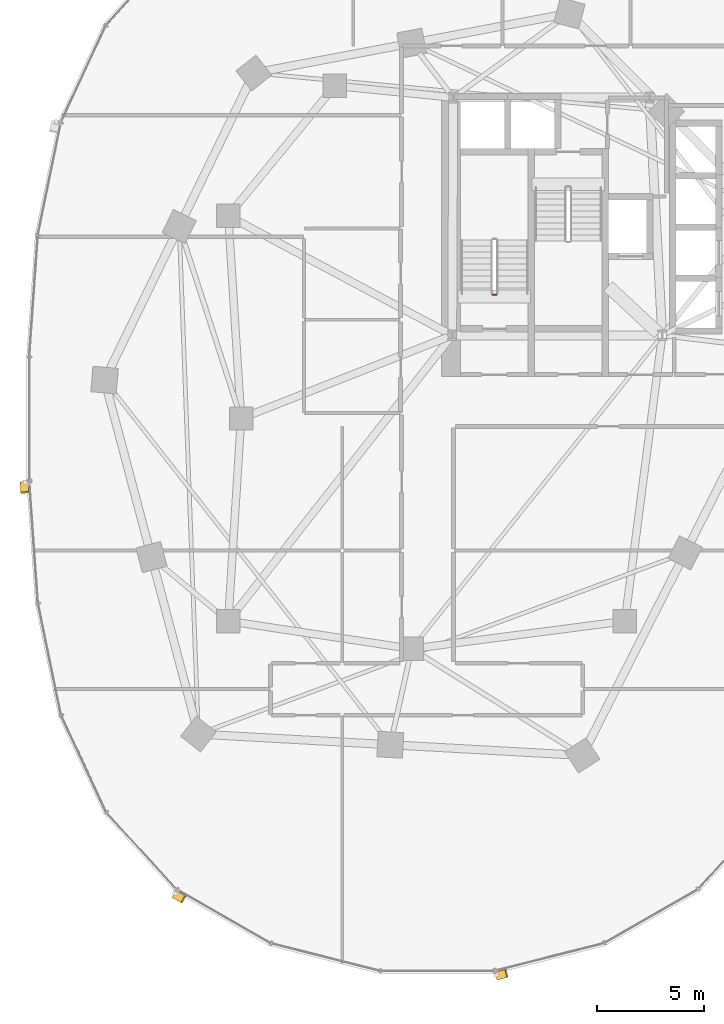
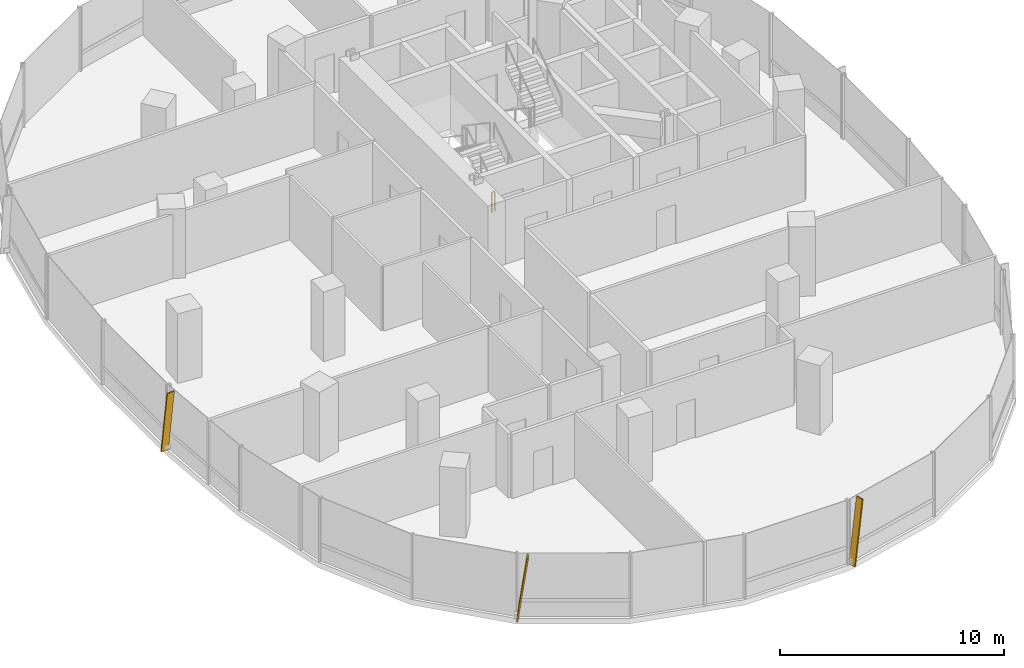
# One storey, part 18 of 22: 3 shading devices, 1 railing.
"""IFC4 building model written with IfcOpenShell, lengths in metres."""

from ifc_helpers import new_model, si_unit, direction, frame, origin, origin_2d, place, context, subcontext, project, spatial, rectangle, extrude, material, material_profile, profile_set, type_object, element, save


model = new_model("IFC4")

# Units and contexts
model_context = context("Model", 3, precision=1e-05, world=origin(), true_north=direction((0.0, 1.0)))
body_context = subcontext(model_context, "Body", "Model", "MODEL_VIEW")
ifc_project = project(units=[si_unit("LENGTHUNIT", "METRE"), si_unit("AREAUNIT", "SQUARE_METRE"), si_unit("VOLUMEUNIT", "CUBIC_METRE"), si_unit("PLANEANGLEUNIT", "RADIAN"), si_unit("MASSUNIT", "GRAM", prefix="KILO"), si_unit("THERMODYNAMICTEMPERATUREUNIT", "KELVIN"), si_unit("POWERUNIT", "WATT")], contexts=[model_context])

# Site, building, storey
site_placement = place(None, origin())
site = spatial("IfcSite", under=ifc_project, at=site_placement, CompositionType="ELEMENT")
building_placement = place(site_placement, origin())
building = spatial("IfcBuilding", under=site, at=building_placement, Name="Cundina Bronze Exchange", CompositionType="ELEMENT")
storey_placement = place(building_placement, frame((0.0, 0.0, 43.0)))
storey = spatial("IfcBuildingStorey", under=building, at=storey_placement, Name="L10", CompositionType="ELEMENT", Elevation=43.0)

# Railing
ifc_material_1 = material(Name="Steel ASTM A36 Painted", Category="steel")
railing_type = type_object("IfcRailingType", Name="RLG-STG-1100", PredefinedType="GUARDRAIL", material=ifc_material_1)
railing_placement = place(storey_placement, frame((-29.239990234375, 5.800048828125, 0.0)))
element("IfcRailing", 1, at=railing_placement, inside=storey, type_object=railing_type, Name="L10 ST-W1 stair guard 4", PredefinedType="GUARDRAIL", context=body_context, shape_type="SweptSolid", body=[
    extrude(rectangle(XDim=0.048095703125, YDim=0.048095703125, at=origin_2d()), frame((0.0, 0.0, 1.076171875), z_axis=(-1.0, 0.0, 0.0), x_axis=(0.0, -1.0, 0.0)), (0.0, 0.0, 1.0), 0.159912109375),
    extrude(rectangle(XDim=0.0419921875, YDim=0.0419921875, at=origin_2d()), origin(), (0.0, 0.0, 1.0), 1.052001953125),
    extrude(rectangle(XDim=0.0419921875, YDim=0.0419921875, at=origin_2d()), frame((-0.159912109375, 0.0, 0.0)), (0.0, 0.0, 1.0), 1.052001953125),
])

# Shading devices
ifc_material_2 = material(Name="Anodised Bronze Aluminium 6063-T6", Category="aluminium")
ifc_material_profile = material_profile(ifc_material_2, rectangle(XDim=0.070068359375, YDim=0.3798828125, at=origin_2d()), Name="FIN70X380", Category="aluminium")
ifc_profile_set = profile_set([ifc_material_profile], Name="Anodised Bronze Aluminium 6063-T6")
shading_device_type = type_object("IfcShadingDeviceType", Name="SHD-FIN-BRZ380", PredefinedType="USERDEFINED", material=ifc_profile_set)
for number, where, z_axis, x_axis, name in (
    (2, (-51.3740234375, -2.993896484375, 0.02001953125), (0.009645159174, -0.137059109714, 0.990515911709), (-0.06953288269, 0.988072340253, 0.137398066402), "L10 Diagonal Bronze Solar Fin 1"),
    (3, (-44.314208984375, -22.314208984375, 0.02001953125), (0.119166378275, -0.06842456559, 0.990513731915), (-0.85898178632, 0.493221799887, 0.137413779831), "L10 Diagonal Bronze Solar Fin 5"),
    (4, (-29.212646484375, -26.138427734375, 0.02001953125), (0.133214830938, 0.033688115694, 0.990514472221), (-0.960284642503, -0.242842181368, 0.137408443412), "L10 Diagonal Bronze Solar Fin 1"),
):
    element("IfcShadingDevice", number, at=place(storey_placement, frame(where, z_axis=z_axis, x_axis=x_axis)), inside=storey, type_object=shading_device_type, Name=name, ObjectType="FIN", PredefinedType="USERDEFINED", context=body_context, shape_type="SweptSolid", body=[
        extrude(rectangle(XDim=0.070068359375, YDim=0.3798828125, at=origin_2d()), origin(), (0.0, 0.0, 1.0), 3.4931640625),
    ])

save(model, "model.ifc")
